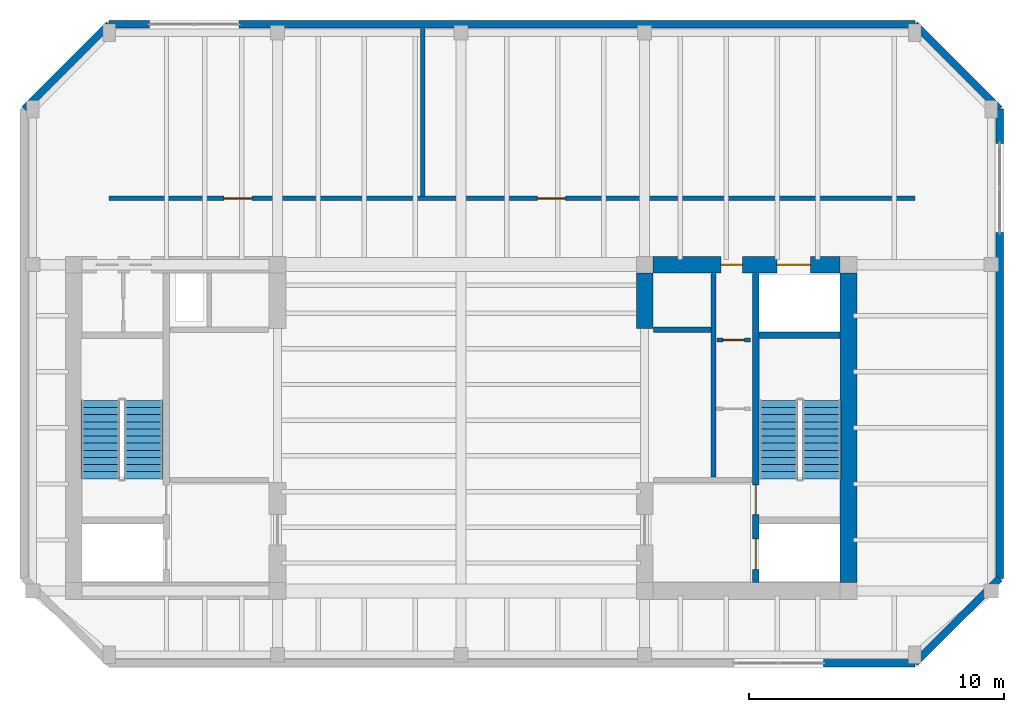
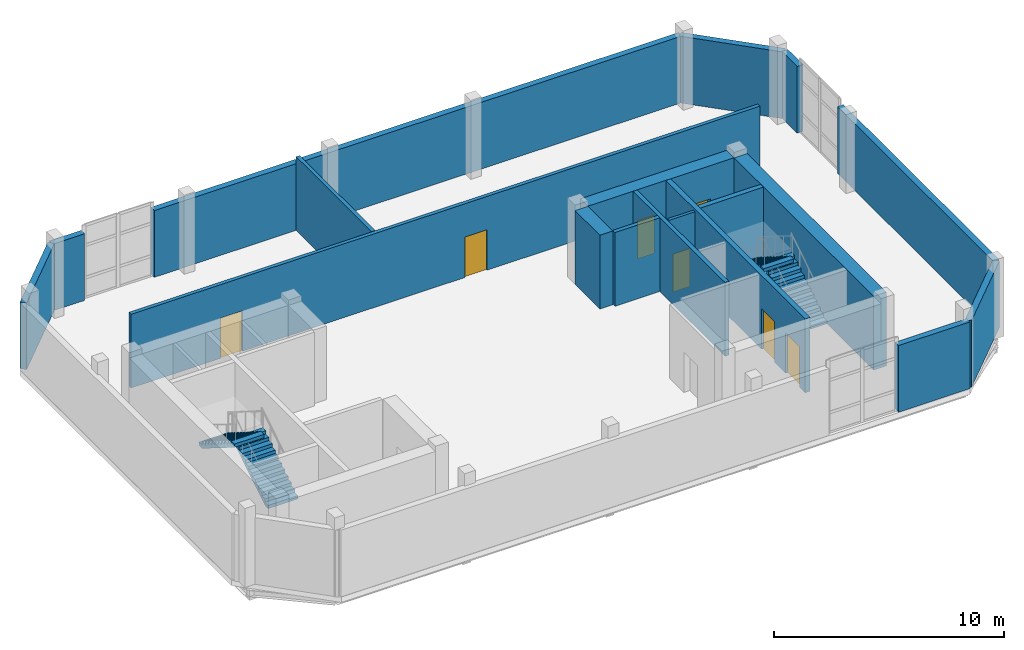
# One storey, part 6 of 7: 18 walls, 7 doors, 4 stair flights, 7 openings, 2 elements without a shape of their own.
"""IFC4 building model written with IfcOpenShell, lengths in metres."""

from ifc_helpers import new_model, si_unit, direction, frame, frame_2d, origin, place, context, subcontext, project, spatial, polyline, rectangle, outline, extrude, material, layer, layer_set, type_object, element, fill, aggregate, save


model = new_model("IFC4")

# Units and contexts
model_context = context("Model", 3, precision=1e-05, world=origin(), true_north=direction((0.0, 1.0)))
body_context = subcontext(model_context, "Body", "Model", "MODEL_VIEW")
ifc_project = project(units=[si_unit("LENGTHUNIT", "METRE"), si_unit("AREAUNIT", "SQUARE_METRE"), si_unit("VOLUMEUNIT", "CUBIC_METRE"), si_unit("PLANEANGLEUNIT", "RADIAN"), si_unit("MASSUNIT", "GRAM", prefix="KILO")], contexts=[model_context])

# Site, building, storey
site_placement = place(None, origin())
site = spatial("IfcSite", under=ifc_project, at=site_placement, CompositionType="ELEMENT")
building_placement = place(site_placement, origin())
building = spatial("IfcBuilding", under=site, at=building_placement, Name="Kranthara Brick Stack", CompositionType="ELEMENT")
storey_placement = place(building_placement, frame((0.0, 0.0, 296.39990234375)))
storey = spatial("IfcBuildingStorey", under=building, at=storey_placement, Name="L78", CompositionType="ELEMENT", Elevation=296.39990234375)

# Walls
ifc_material_1 = material(Name="Precast concrete C45/55", Category="concrete")
ifc_layer_1 = layer(ifc_material_1, 0.300048828125)
ifc_layer_set_1 = layer_set([ifc_layer_1], Name="Precast concrete C45/55")
wall_type_1 = type_object("IfcWallType", Name="WL-BRK-CRWN-300", PredefinedType="STANDARD", material=ifc_layer_set_1)
wall_1_placement = place(storey_placement, frame((45.800048828125, 17.969970703125, 0.0), z_axis=(0.0, 0.0, 1.0), x_axis=(-1.0, 0.0, 0.0)))
element("IfcWall", 1, at=wall_1_placement, inside=storey, type_object=wall_type_1, Name="L78 Exterior Brick Facade Wall SOUTH 1", PredefinedType="STANDARD", context=body_context, shape_type="SweptSolid", body=[
    extrude(rectangle(XDim=3.587158203125, YDim=0.300048828125, at=frame_2d((1.79345703125, 0.0))), origin(), (0.0, 0.0, 1.0), 3.545166015625),
])
wall_2_placement = place(storey_placement, frame((10.8701171875, 39.699951171875, 0.0), z_axis=(0.0, 0.0, 1.0), x_axis=(0.707080859425, 0.707132701998, 0.0)))
element("IfcWall", 2, at=wall_2_placement, inside=storey, type_object=wall_type_1, Name="L78 Exterior Brick Facade Wall NW 1", PredefinedType="STANDARD", context=body_context, shape_type="SweptSolid", body=[
    extrude(rectangle(XDim=4.709228515625, YDim=0.300048828125, at=frame_2d((2.3544921875, 0.0))), origin(), (0.0, 0.0, 1.0), 3.545166015625),
])
wall_3_placement = place(storey_placement, frame((14.199951171875, 43.030029296875, 0.0), z_axis=(0.0, 0.0, 1.0), x_axis=(1.0, 0.0, 0.0)))
element("IfcWall", 3, at=wall_3_placement, inside=storey, type_object=wall_type_1, Name="L78 Exterior Brick Facade Wall NORTH 1", PredefinedType="STANDARD", context=body_context, shape_type="SweptSolid", body=[
    extrude(rectangle(XDim=1.588134765625, YDim=0.300048828125, at=frame_2d((0.7939453125, 0.0))), origin(), (0.0, 0.0, 1.0), 3.545166015625),
])
wall_4_placement = place(storey_placement, frame((19.2880859375, 43.030029296875, 0.0), z_axis=(0.0, 0.0, 1.0), x_axis=(1.0, 0.0, 0.0)))
element("IfcWall", 4, at=wall_4_placement, inside=storey, type_object=wall_type_1, Name="L78 Exterior Brick Facade Wall NORTH 2", PredefinedType="STANDARD", context=body_context, shape_type="SweptSolid", body=[
    extrude(rectangle(XDim=26.511962890625, YDim=0.300048828125, at=frame_2d((13.255859375, 0.0))), origin(), (0.0, 0.0, 1.0), 3.545166015625),
])
wall_5_placement = place(storey_placement, frame((45.800048828125, 43.030029296875, 0.0), z_axis=(0.0, 0.0, 1.0), x_axis=(0.707080859425, -0.707132701998, 0.0)))
element("IfcWall", 5, at=wall_5_placement, inside=storey, type_object=wall_type_1, Name="L78 Exterior Brick Facade Wall NE 1", PredefinedType="STANDARD", context=body_context, shape_type="SweptSolid", body=[
    extrude(rectangle(XDim=4.709228515625, YDim=0.300048828125, at=frame_2d((2.3544921875, 0.0))), origin(), (0.0, 0.0, 1.0), 3.545166015625),
])
wall_6_placement = place(storey_placement, frame((49.1298828125, 39.699951171875, 0.0), z_axis=(0.0, 0.0, 1.0), x_axis=(0.0, -1.0, 0.0)))
element("IfcWall", 6, at=wall_6_placement, inside=storey, type_object=wall_type_1, Name="L78 Exterior Brick Facade Wall EAST 1", PredefinedType="STANDARD", context=body_context, shape_type="SweptSolid", body=[
    extrude(rectangle(XDim=1.337890625, YDim=0.300048828125, at=frame_2d((0.6689453125, 0.0))), origin(), (0.0, 0.0, 1.0), 3.545166015625),
])
wall_7_placement = place(storey_placement, frame((49.1298828125, 34.862060546875, 0.0), z_axis=(0.0, 0.0, 1.0), x_axis=(0.0, -1.0, 0.0)))
element("IfcWall", 7, at=wall_7_placement, inside=storey, type_object=wall_type_1, Name="L78 Exterior Brick Facade Wall EAST 2", PredefinedType="STANDARD", context=body_context, shape_type="SweptSolid", body=[
    extrude(rectangle(XDim=13.56201171875, YDim=0.300048828125, at=frame_2d((6.781005859375, 0.0))), origin(), (0.0, 0.0, 1.0), 3.545166015625),
])
wall_8_placement = place(storey_placement, frame((49.1298828125, 21.300048828125, 0.0), z_axis=(0.0, 0.0, 1.0), x_axis=(-0.707080859425, -0.707132701998, 0.0)))
element("IfcWall", 8, at=wall_8_placement, inside=storey, type_object=wall_type_1, Name="L78 Exterior Brick Facade Wall SE 1", PredefinedType="STANDARD", context=body_context, shape_type="SweptSolid", body=[
    extrude(rectangle(XDim=4.709228515625, YDim=0.300048828125, at=frame_2d((2.3544921875, 0.0))), origin(), (0.0, 0.0, 1.0), 3.545166015625),
])

# Wall, openings, doors
ifc_material_2 = material(Name="Concrete C50/60", Category="concrete")
ifc_layer_2 = layer(ifc_material_2, 0.25)
ifc_layer_set_2 = layer_set([ifc_layer_2], Name="Concrete C50/60")
wall_type_2 = type_object("IfcWallType", Name="WL-CORE-250", PredefinedType="SHEAR", material=ifc_layer_set_2)
wall_9_placement = place(storey_placement, frame((39.56494140625, 21.135009765625, 0.0), z_axis=(0.0, 0.0, 1.0), x_axis=(0.0, 1.0, 0.0)))
wall_9 = element("IfcWall", 9, at=wall_9_placement, inside=storey, type_object=wall_type_2, Name="L78 East Core Stair Bearing Spine Wall", PredefinedType="SHEAR", context=body_context, shape_type="SweptSolid", body=[
    extrude(rectangle(XDim=12.1298828125, YDim=0.25, at=frame_2d((6.06494140625, 0.0))), origin(), (0.0, 0.0, 1.0), 3.920166015625),
])
opening_1_placement = place(wall_9_placement, frame((0.514892578125, 0.0, 0.0)))
opening_1 = element("IfcOpeningElement", 10, at=opening_1_placement, cuts=wall_9, Name="Opening LD01", PredefinedType="OPENING", context=body_context, shape_type="SweptSolid", body=[
    extrude(rectangle(XDim=1.199951171875, YDim=2.14990234375, at=frame_2d((0.60009765625, 1.074951171875))), frame((0.0, 0.135009765625, 0.0), z_axis=(0.0, -1.0, 0.0), x_axis=(1.0, 0.0, 0.0)), (0.0, 0.0, 1.0), 0.27001953125),
])
opening_2_placement = place(wall_9_placement, frame((2.6650390625, 0.0, 0.0)))
opening_2 = element("IfcOpeningElement", 11, at=opening_2_placement, cuts=wall_9, Name="Opening D05", PredefinedType="OPENING", context=body_context, shape_type="SweptSolid", body=[
    extrude(rectangle(XDim=1.14990234375, YDim=2.14990234375, at=frame_2d((0.574951171875, 1.074951171875))), frame((0.0, 0.135009765625, 0.0), z_axis=(0.0, -1.0, 0.0), x_axis=(1.0, 0.0, 0.0)), (0.0, 0.0, 1.0), 0.27001953125),
])
ifc_material_3 = material(Name="Stainless steel sliding landing door", Category="steel")
door_type_1 = type_object("IfcDoorType", Name="DR-LD-FF1200", OperationType="DOUBLE_DOOR_SLIDING", PredefinedType="DOOR", material=ifc_material_3)
door_1_placement = place(opening_1_placement, origin())
door_1 = element("IfcDoor", 12, at=door_1_placement, inside=storey, type_object=door_type_1, Name="L78 Firefighting Lift FF-02 Landing Door", OperationType="DOUBLE_DOOR_SLIDING", OverallHeight=2.14990234375, OverallWidth=1.199951171875, PredefinedType="DOOR", context=body_context, shape_type="SweptSolid", body=[
    extrude(rectangle(XDim=1.199951171875, YDim=2.14990234375, at=frame_2d((0.60009765625, 1.074951171875))), frame((0.0, 0.02490234375, 0.0), z_axis=(0.0, -1.0, 0.0), x_axis=(1.0, 0.0, 0.0)), (0.0, 0.0, 1.0), 0.050048828125),
])
fill(opening_1, door_1)
ifc_material_4 = material(Name="Solid-core hardwood timber leaf in steel frame", Category="steel")
door_type_2 = type_object("IfcDoorType", Name="DR-ST-1150", OperationType="NOTDEFINED", PredefinedType="DOOR", material=ifc_material_4)
door_2_placement = place(opening_2_placement, origin())
door_2 = element("IfcDoor", 13, at=door_2_placement, inside=storey, type_object=door_type_2, Name="L78 Exit Stair ST02 Door", OperationType="SINGLE_SWING_LEFT", OverallHeight=2.14990234375, OverallWidth=1.14990234375, PredefinedType="DOOR", context=body_context, shape_type="SweptSolid", body=[
    extrude(rectangle(XDim=1.14990234375, YDim=2.14990234375, at=frame_2d((0.574951171875, 1.074951171875))), frame((0.0, 0.02490234375, 0.0), z_axis=(0.0, -1.0, 0.0), x_axis=(1.0, 0.0, 0.0)), (0.0, 0.0, 1.0), 0.050048828125),
])
fill(opening_2, door_2)

# Walls
wall_10_placement = place(storey_placement, frame((39.68994140625, 30.830078125, 0.0), z_axis=(0.0, 0.0, 1.0), x_axis=(1.0, 0.0, 0.0)))
element("IfcWall", 14, at=wall_10_placement, inside=storey, type_object=wall_type_2, Name="L78 East Stairwell Bearing Wall EST", PredefinedType="SHEAR", context=body_context, shape_type="SweptSolid", body=[
    extrude(rectangle(XDim=3.175048828125, YDim=0.25, at=frame_2d((1.58740234375, 0.0))), origin(), (0.0, 0.0, 1.0), 3.920166015625),
])
ifc_material_5 = material(Name="Concrete C60/75", Category="concrete")
ifc_layer_3 = layer(ifc_material_5, 0.64990234375)
ifc_layer_set_3 = layer_set([ifc_layer_3], Name="Concrete C60/75")
wall_type_3 = type_object("IfcWallType", Name="WL-CORE-650", PredefinedType="SHEAR", material=ifc_layer_set_3)
wall_11_placement = place(storey_placement, frame((43.199951171875, 21.1298828125, 0.0), z_axis=(0.0, 0.0, 1.0), x_axis=(0.0, 1.0, 0.0)))
element("IfcWall", 15, at=wall_11_placement, inside=storey, type_object=wall_type_3, Name="L78 East Core Shear Wall East", PredefinedType="SHEAR", context=body_context, shape_type="SweptSolid", body=[
    extrude(rectangle(XDim=12.14013671875, YDim=0.64990234375, at=frame_2d((6.070068359375, 0.0))), origin(), (0.0, 0.0, 1.0), 3.920166015625),
])

# Wall, openings, doors
wall_12_placement = place(storey_placement, frame((35.530029296875, 33.60009765625, 0.0), z_axis=(0.0, 0.0, 1.0), x_axis=(1.0, 0.0, 0.0)))
wall_12 = element("IfcWall", 16, at=wall_12_placement, inside=storey, type_object=wall_type_3, Name="L78 East Core Shear Wall North", PredefinedType="SHEAR", context=body_context, shape_type="SweptSolid", body=[
    extrude(rectangle(XDim=7.340087890625, YDim=0.64990234375, at=frame_2d((3.669921875, 0.0))), origin(), (0.0, 0.0, 1.0), 3.920166015625),
])
opening_3_placement = place(wall_12_placement, frame((4.8701171875, 0.0, 0.0)))
opening_3 = element("IfcOpeningElement", 17, at=opening_3_placement, cuts=wall_12, Name="Opening LD03", PredefinedType="OPENING", context=body_context, shape_type="SweptSolid", body=[
    extrude(rectangle(XDim=1.300048828125, YDim=2.14990234375, at=frame_2d((0.64990234375, 1.074951171875))), frame((0.0, 0.3349609375, 0.0), z_axis=(0.0, -1.0, 0.0), x_axis=(1.0, 0.0, 0.0)), (0.0, 0.0, 1.0), 0.669921875),
])
opening_4_placement = place(wall_12_placement, frame((2.669921875, 0.0, 0.0)))
opening_4 = element("IfcOpeningElement", 18, at=opening_4_placement, cuts=wall_12, Name="Opening D10", PredefinedType="OPENING", context=body_context, shape_type="SweptSolid", body=[
    extrude(rectangle(XDim=0.85009765625, YDim=2.02001953125, at=frame_2d((0.425048828125, 1.010009765625))), frame((0.0, 0.3349609375, 0.0), z_axis=(0.0, -1.0, 0.0), x_axis=(1.0, 0.0, 0.0)), (0.0, 0.0, 1.0), 0.669921875),
])
ifc_material_6 = material(Name="Stainless steel sliding landing door", Category="steel")
door_type_3 = type_object("IfcDoorType", Name="DR-LD-SV1300", OperationType="DOUBLE_DOOR_SLIDING", PredefinedType="DOOR", material=ifc_material_6)
door_3_placement = place(opening_3_placement, origin())
door_3 = element("IfcDoor", 19, at=door_3_placement, inside=storey, type_object=door_type_3, Name="L78 Stretcher Service Lift SV-01 Landing Door", OperationType="DOUBLE_DOOR_SLIDING", OverallHeight=2.14990234375, OverallWidth=1.300048828125, PredefinedType="DOOR", context=body_context, shape_type="SweptSolid", body=[
    extrude(rectangle(XDim=1.300048828125, YDim=2.14990234375, at=frame_2d((0.64990234375, 1.074951171875))), frame((0.0, 0.02490234375, 0.0), z_axis=(0.0, -1.0, 0.0), x_axis=(1.0, 0.0, 0.0)), (0.0, 0.0, 1.0), 0.050048828125),
])
fill(opening_3, door_3)
ifc_material_7 = material(Name="Solid-core hardwood timber leaf in steel frame", Category="steel")
door_type_4 = type_object("IfcDoorType", Name="DR-RSR-850", OperationType="NOTDEFINED", PredefinedType="DOOR", material=ifc_material_7)
door_4_placement = place(opening_4_placement, origin())
door_4 = element("IfcDoor", 20, at=door_4_placement, inside=storey, type_object=door_type_4, Name="L78 East Core Service Room Door", OperationType="SINGLE_SWING_LEFT", OverallHeight=2.02001953125, OverallWidth=0.85009765625, PredefinedType="DOOR", context=body_context, shape_type="SweptSolid", body=[
    extrude(rectangle(XDim=0.85009765625, YDim=2.02001953125, at=frame_2d((0.425048828125, 1.010009765625))), frame((0.0, 0.02490234375, 0.0), z_axis=(0.0, -1.0, 0.0), x_axis=(1.0, 0.0, 0.0)), (0.0, 0.0, 1.0), 0.050048828125),
])
fill(opening_4, door_4)

# Wall
wall_13_placement = place(storey_placement, frame((35.199951171875, 31.10009765625, 0.0), z_axis=(0.0, 0.0, 1.0), x_axis=(0.0, 1.0, 0.0)))
element("IfcWall", 21, at=wall_13_placement, inside=storey, type_object=wall_type_3, Name="L78 East Core High-Rise Lift Wall", PredefinedType="SHEAR", context=body_context, shape_type="SweptSolid", body=[
    extrude(rectangle(XDim=2.169921875, YDim=0.64990234375, at=frame_2d((1.0849609375, 0.0))), origin(), (0.0, 0.0, 1.0), 3.920166015625),
])

# Wall, opening, door
ifc_material_8 = material(Name="Fire-rated gypsum board partition", Category="other")
ifc_layer_4 = layer(ifc_material_8, 0.14990234375)
ifc_layer_set_4 = layer_set([ifc_layer_4], Name="Fire-rated gypsum board partition")
wall_type_4 = type_object("IfcWallType", Name="WL-PART-150", PredefinedType="PARTITIONING", material=ifc_layer_set_4)
wall_14_placement = place(storey_placement, frame((38.050048828125, 30.64990234375, 0.0), z_axis=(0.0, 0.0, 1.0), x_axis=(1.0, 0.0, 0.0)))
wall_14 = element("IfcWall", 22, at=wall_14_placement, inside=storey, type_object=wall_type_4, Name="L78 Interior Partition 003", PredefinedType="PARTITIONING", context=body_context, shape_type="SweptSolid", body=[
    extrude(rectangle(XDim=1.300048828125, YDim=0.14990234375, at=frame_2d((0.64990234375, 0.0))), origin(), (0.0, 0.0, 1.0), 3.920166015625),
])
opening_5_placement = place(wall_14_placement, frame((0.219970703125, 0.0, 0.0)))
opening_5 = element("IfcOpeningElement", 23, at=opening_5_placement, cuts=wall_14, Name="Opening D10", PredefinedType="OPENING", context=body_context, shape_type="SweptSolid", body=[
    extrude(rectangle(XDim=0.85009765625, YDim=2.02001953125, at=frame_2d((0.425048828125, 1.010009765625))), frame((0.0, 0.0849609375, 0.0), z_axis=(0.0, -1.0, 0.0), x_axis=(1.0, 0.0, 0.0)), (0.0, 0.0, 1.0), 0.169921875),
])
door_5_placement = place(opening_5_placement, origin())
door_5 = element("IfcDoor", 24, at=door_5_placement, inside=storey, type_object=door_type_4, Name="L78 Riser Door 2 03", OperationType="SINGLE_SWING_LEFT", OverallHeight=2.02001953125, OverallWidth=0.85009765625, PredefinedType="DOOR", context=body_context, shape_type="SweptSolid", body=[
    extrude(rectangle(XDim=0.85009765625, YDim=2.02001953125, at=frame_2d((0.425048828125, 1.010009765625))), frame((0.0, 0.02490234375, 0.0), z_axis=(0.0, -1.0, 0.0), x_axis=(1.0, 0.0, 0.0)), (0.0, 0.0, 1.0), 0.050048828125),
])
fill(opening_5, door_5)

# Wall, openings, doors
ifc_material_9 = material(Name="Gypsum plasterboard on acoustic twin stud", Category="other")
ifc_layer_5 = layer(ifc_material_9, 0.179931640625)
ifc_layer_set_5 = layer_set([ifc_layer_5], Name="Gypsum plasterboard on acoustic twin stud")
wall_type_5 = type_object("IfcWallType", Name="WL-PART-180", PredefinedType="PARTITIONING", material=ifc_layer_set_5)
wall_15_placement = place(storey_placement, frame((14.199951171875, 36.199951171875, 0.0), z_axis=(0.0, 0.0, 1.0), x_axis=(1.0, 0.0, 0.0)))
wall_15 = element("IfcWall", 25, at=wall_15_placement, inside=storey, type_object=wall_type_5, Name="L78 Interior Partition 004", PredefinedType="PARTITIONING", context=body_context, shape_type="SweptSolid", body=[
    extrude(rectangle(XDim=31.60009765625, YDim=0.179931640625, at=frame_2d((15.800048828125, 0.0))), origin(), (0.0, 0.0, 1.0), 3.920166015625),
])
opening_6_placement = place(wall_15_placement, frame((4.5, 0.0, 0.0)))
opening_6 = element("IfcOpeningElement", 26, at=opening_6_placement, cuts=wall_15, Name="Opening D07", PredefinedType="OPENING", context=body_context, shape_type="SweptSolid", body=[
    extrude(rectangle(XDim=1.10009765625, YDim=2.14990234375, at=frame_2d((0.550048828125, 1.074951171875))), frame((0.0, 0.099853515625, 0.0), z_axis=(0.0, -1.0, 0.0), x_axis=(1.0, 0.0, 0.0)), (0.0, 0.0, 1.0), 0.199951171875),
])
opening_7_placement = place(wall_15_placement, frame((16.800048828125, 0.0, 0.0)))
opening_7 = element("IfcOpeningElement", 27, at=opening_7_placement, cuts=wall_15, Name="Opening D07", PredefinedType="OPENING", context=body_context, shape_type="SweptSolid", body=[
    extrude(rectangle(XDim=1.10009765625, YDim=2.14990234375, at=frame_2d((0.550048828125, 1.074951171875))), frame((0.0, 0.099853515625, 0.0), z_axis=(0.0, -1.0, 0.0), x_axis=(1.0, 0.0, 0.0)), (0.0, 0.0, 1.0), 0.199951171875),
])
ifc_material_10 = material(Name="Solid-core hardwood timber leaf in steel frame", Category="steel")
door_type_5 = type_object("IfcDoorType", Name="DR-FD-1100", OperationType="NOTDEFINED", PredefinedType="DOOR", material=ifc_material_10)
door_6_placement = place(opening_6_placement, origin())
door_6 = element("IfcDoor", 28, at=door_6_placement, inside=storey, type_object=door_type_5, Name="L78 Crown Cooling Plant Door 04", OperationType="SINGLE_SWING_RIGHT", OverallHeight=2.14990234375, OverallWidth=1.10009765625, PredefinedType="DOOR", context=body_context, shape_type="SweptSolid", body=[
    extrude(rectangle(XDim=1.10009765625, YDim=2.14990234375, at=frame_2d((0.550048828125, 1.074951171875))), frame((0.0, 0.02490234375, 0.0), z_axis=(0.0, -1.0, 0.0), x_axis=(1.0, 0.0, 0.0)), (0.0, 0.0, 1.0), 0.050048828125),
])
fill(opening_6, door_6)
door_7_placement = place(opening_7_placement, origin())
door_7 = element("IfcDoor", 29, at=door_7_placement, inside=storey, type_object=door_type_5, Name="L78 Crown Lift Machine Door 05", OperationType="SINGLE_SWING_LEFT", OverallHeight=2.14990234375, OverallWidth=1.10009765625, PredefinedType="DOOR", context=body_context, shape_type="SweptSolid", body=[
    extrude(rectangle(XDim=1.10009765625, YDim=2.14990234375, at=frame_2d((0.550048828125, 1.074951171875))), frame((0.0, 0.02490234375, 0.0), z_axis=(0.0, -1.0, 0.0), x_axis=(1.0, 0.0, 0.0)), (0.0, 0.0, 1.0), 0.050048828125),
])
fill(opening_7, door_7)

# Walls
wall_16_placement = place(storey_placement, frame((26.5, 36.300048828125, 0.0), z_axis=(0.0, 0.0, 1.0), x_axis=(0.0, 1.0, 0.0)))
element("IfcWall", 30, at=wall_16_placement, inside=storey, type_object=wall_type_5, Name="L78 Interior Partition 005", PredefinedType="PARTITIONING", context=body_context, shape_type="SweptSolid", body=[
    extrude(rectangle(XDim=6.574951171875, YDim=0.179931640625, at=frame_2d((3.28759765625, 0.0))), origin(), (0.0, 0.0, 1.0), 3.920166015625),
])
ifc_material_11 = material(Name="Concrete C40/50", Category="concrete")
ifc_layer_6 = layer(ifc_material_11, 0.199951171875)
ifc_layer_set_6 = layer_set([ifc_layer_6], Name="Concrete C40/50")
wall_type_6 = type_object("IfcWallType", Name="WL-PART-200", PredefinedType="SOLIDWALL", material=ifc_layer_set_6)
wall_17_placement = place(storey_placement, frame((35.550048828125, 31.050048828125, 0.0), z_axis=(0.0, 0.0, 1.0), x_axis=(1.0, 0.0, 0.0)))
element("IfcWall", 31, at=wall_17_placement, inside=storey, type_object=wall_type_6, Name="L78 East Core Cross Wall EE4", PredefinedType="SOLIDWALL", context=body_context, shape_type="SweptSolid", body=[
    extrude(rectangle(XDim=2.25, YDim=0.199951171875, at=frame_2d((1.125, 0.0))), origin(), (0.0, 0.0, 1.0), 3.920166015625),
])
wall_18_placement = place(storey_placement, frame((37.89990234375, 25.27001953125, 0.0), z_axis=(0.0, 0.0, 1.0), x_axis=(0.0, 1.0, 0.0)))
element("IfcWall", 32, at=wall_18_placement, inside=storey, type_object=wall_type_6, Name="L78 East Core Cross Wall ESV", PredefinedType="SOLIDWALL", context=body_context, shape_type="SweptSolid", body=[
    extrude(rectangle(XDim=7.994873046875, YDim=0.199951171875, at=frame_2d((3.99755859375, 0.0))), origin(), (0.0, 0.0, 1.0), 3.920166015625),
])

# Stair, stair flights
ifc_material_12 = material(Name="Concrete C45/55", Category="concrete")
stair_type = type_object("IfcStairType", Name="ST-CORE-24R", PredefinedType="HALF_TURN_STAIR", material=ifc_material_12)
stair_1_placement = place(storey_placement, origin())
stair_1 = element("IfcStair", 33, at=stair_1_placement, inside=storey, type_object=stair_type, Name="L78 West Core Protected Exit Stair ST01", PredefinedType="HALF_TURN_STAIR")
ifc_material_13 = material(Name="Concrete C45/55", Category="concrete")
stair_flight_type = type_object("IfcStairFlightType", Name="SFL-RC-24R", PredefinedType="STRAIGHT", material=ifc_material_13)
stair_flight_1_placement = place(storey_placement, frame((15.550048828125, 25.199951171875, 0.0), z_axis=(0.0, 0.0, 1.0), x_axis=(0.0, 1.0, 0.0)))
stair_flight_1 = element("IfcStairFlight", 34, at=stair_flight_1_placement, type_object=stair_flight_type, Name="ST01 flight 1", NumberOfRisers=12, NumberOfTreads=11, PredefinedType="STRAIGHT", RiserHeight=0.175, TreadLength=0.28, context=body_context, shape_type="SweptSolid", body=[
    extrude(outline(polyline([(0.0, 0.0), (0.0, 0.175048828125), (0.280029296875, 0.175048828125), (0.280029296875, 0.35009765625), (0.56005859375, 0.35009765625), (0.56005859375, 0.52490234375), (0.840087890625, 0.52490234375), (0.840087890625, 0.699951171875), (1.1201171875, 0.699951171875), (1.1201171875, 0.875), (1.39990234375, 0.875), (1.39990234375, 1.050048828125), (1.679931640625, 1.050048828125), (1.679931640625, 1.22509765625), (1.9599609375, 1.22509765625), (1.9599609375, 1.39990234375), (2.239990234375, 1.39990234375), (2.239990234375, 1.574951171875), (2.52001953125, 1.574951171875), (2.52001953125, 1.75), (2.800048828125, 1.75), (2.800048828125, 1.925048828125), (3.080078125, 1.925048828125), (3.080078125, 2.10009765625), (3.080078125, 1.748291015625), (0.28271484375, 0.0), (0.0, 0.0)])), frame((0.0, 0.75, 0.0), z_axis=(0.0, -1.0, 0.0), x_axis=(1.0, 0.0, 0.0)), (0.0, 0.0, 1.0), 1.5),
])
stair_flight_2_placement = place(storey_placement, frame((13.85009765625, 28.280029296875, 2.10009765625), z_axis=(0.0, 0.0, 1.0), x_axis=(0.0, -1.0, 0.0)))
stair_flight_2 = element("IfcStairFlight", 35, at=stair_flight_2_placement, type_object=stair_flight_type, Name="ST01 flight 2", NumberOfRisers=12, NumberOfTreads=11, PredefinedType="STRAIGHT", RiserHeight=0.175, TreadLength=0.28, context=body_context, shape_type="SweptSolid", body=[
    extrude(outline(polyline([(0.0, 0.0), (0.0, 0.175048828125), (0.280029296875, 0.175048828125), (0.280029296875, 0.35009765625), (0.56005859375, 0.35009765625), (0.56005859375, 0.52490234375), (0.840087890625, 0.52490234375), (0.840087890625, 0.699951171875), (1.1201171875, 0.699951171875), (1.1201171875, 0.875), (1.39990234375, 0.875), (1.39990234375, 1.050048828125), (1.679931640625, 1.050048828125), (1.679931640625, 1.22509765625), (1.9599609375, 1.22509765625), (1.9599609375, 1.39990234375), (2.239990234375, 1.39990234375), (2.239990234375, 1.574951171875), (2.52001953125, 1.574951171875), (2.52001953125, 1.75), (2.800048828125, 1.75), (2.800048828125, 1.925048828125), (3.080078125, 1.925048828125), (3.080078125, 2.10009765625), (3.080078125, 1.748291015625), (0.28271484375, 0.0), (0.0, 0.0)])), frame((0.0, 0.75, 0.0), z_axis=(0.0, -1.0, 0.0), x_axis=(1.0, 0.0, 0.0)), (0.0, 0.0, 1.0), 1.5),
])
aggregate(stair_1, [stair_flight_1, stair_flight_2])

stair_2_placement = place(storey_placement, origin())
stair_2 = element("IfcStair", 36, at=stair_2_placement, inside=storey, type_object=stair_type, Name="L78 East Core Protected Exit Stair ST02", PredefinedType="HALF_TURN_STAIR")
stair_flight_3_placement = place(storey_placement, frame((42.14990234375, 25.199951171875, 0.0), z_axis=(0.0, 0.0, 1.0), x_axis=(0.0, 1.0, 0.0)))
stair_flight_3 = element("IfcStairFlight", 37, at=stair_flight_3_placement, type_object=stair_flight_type, Name="ST02 flight 1", NumberOfRisers=12, NumberOfTreads=11, PredefinedType="STRAIGHT", RiserHeight=0.175, TreadLength=0.28, context=body_context, shape_type="SweptSolid", body=[
    extrude(outline(polyline([(0.0, 0.0), (0.0, 0.175048828125), (0.280029296875, 0.175048828125), (0.280029296875, 0.35009765625), (0.56005859375, 0.35009765625), (0.56005859375, 0.52490234375), (0.840087890625, 0.52490234375), (0.840087890625, 0.699951171875), (1.1201171875, 0.699951171875), (1.1201171875, 0.875), (1.39990234375, 0.875), (1.39990234375, 1.050048828125), (1.679931640625, 1.050048828125), (1.679931640625, 1.22509765625), (1.9599609375, 1.22509765625), (1.9599609375, 1.39990234375), (2.239990234375, 1.39990234375), (2.239990234375, 1.574951171875), (2.52001953125, 1.574951171875), (2.52001953125, 1.75), (2.800048828125, 1.75), (2.800048828125, 1.925048828125), (3.080078125, 1.925048828125), (3.080078125, 2.10009765625), (3.080078125, 1.748291015625), (0.28271484375, 0.0), (0.0, 0.0)])), frame((0.0, 0.75, 0.0), z_axis=(0.0, -1.0, 0.0), x_axis=(1.0, 0.0, 0.0)), (0.0, 0.0, 1.0), 1.5),
])
stair_flight_4_placement = place(storey_placement, frame((40.449951171875, 28.280029296875, 2.10009765625), z_axis=(0.0, 0.0, 1.0), x_axis=(0.0, -1.0, 0.0)))
stair_flight_4 = element("IfcStairFlight", 38, at=stair_flight_4_placement, type_object=stair_flight_type, Name="ST02 flight 2", NumberOfRisers=12, NumberOfTreads=11, PredefinedType="STRAIGHT", RiserHeight=0.175, TreadLength=0.28, context=body_context, shape_type="SweptSolid", body=[
    extrude(outline(polyline([(0.0, 0.0), (0.0, 0.175048828125), (0.280029296875, 0.175048828125), (0.280029296875, 0.35009765625), (0.56005859375, 0.35009765625), (0.56005859375, 0.52490234375), (0.840087890625, 0.52490234375), (0.840087890625, 0.699951171875), (1.1201171875, 0.699951171875), (1.1201171875, 0.875), (1.39990234375, 0.875), (1.39990234375, 1.050048828125), (1.679931640625, 1.050048828125), (1.679931640625, 1.22509765625), (1.9599609375, 1.22509765625), (1.9599609375, 1.39990234375), (2.239990234375, 1.39990234375), (2.239990234375, 1.574951171875), (2.52001953125, 1.574951171875), (2.52001953125, 1.75), (2.800048828125, 1.75), (2.800048828125, 1.925048828125), (3.080078125, 1.925048828125), (3.080078125, 2.10009765625), (3.080078125, 1.748291015625), (0.28271484375, 0.0), (0.0, 0.0)])), frame((0.0, 0.75, 0.0), z_axis=(0.0, -1.0, 0.0), x_axis=(1.0, 0.0, 0.0)), (0.0, 0.0, 1.0), 1.5),
])
aggregate(stair_2, [stair_flight_3, stair_flight_4])

save(model, "model.ifc")
